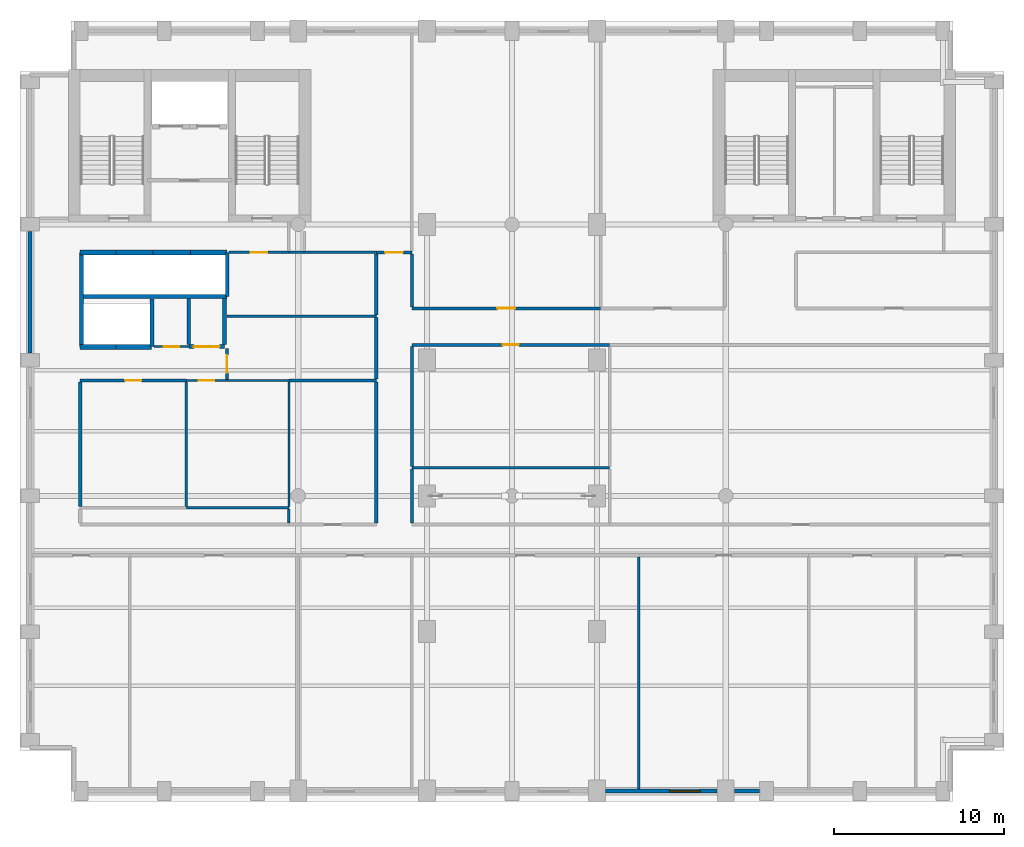
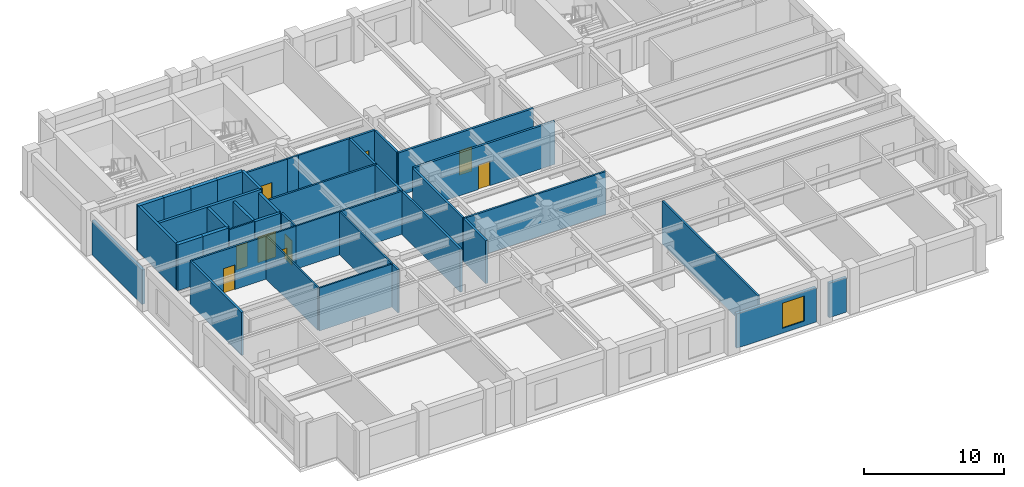
# One storey, part 5 of 10: 42 walls, 9 doors, 1 window, 10 openings.
"""IFC4 building model written with IfcOpenShell, lengths in metres."""

import ifcopenshell
import ifcopenshell.guid

model = None  # the IFC model being written
_history = None  # IfcOwnerHistory: only IFC2X3 demands one
_inside = {}  # id of a spatial element -> (the spatial element, [elements in it])
_under = {}  # id of a project, library or spatial element -> (it, [spatial elements below it])
_declared = {}  # id of a project -> (the project, [libraries it declares])
_typed = {}  # id of a type object -> (the type object, [elements of that type])
_made_of = {}  # id of a material, layer set ... -> (it, [elements and type objects made of it])


def new_model(schema):
    """Start an empty IFC model of exactly this schema.

    Asked for "IFC4X3", IfcOpenShell would pick the latest addendum, in which some entities
    have other attributes; the version numbers below select the first issue.
    IFC2X3 requires an IfcOwnerHistory on every rooted entity: one is made here for all.
    """
    global model, _history
    if schema == "IFC4X3":
        model = ifcopenshell.file(schema_version=(4, 3, 0, 0))
    else:
        model = ifcopenshell.file(schema=schema)
    _inside.clear()
    _under.clear()
    _declared.clear()
    _typed.clear()
    _made_of.clear()
    _history = None
    if model.schema == "IFC2X3":
        org = make("IfcOrganization", Name="unknown")
        user = make(
            "IfcPersonAndOrganization",
            ThePerson=make("IfcPerson", FamilyName="unknown"),
            TheOrganization=org,
        )
        app = make(
            "IfcApplication",
            ApplicationDeveloper=org,
            Version="unknown",
            ApplicationFullName="unknown",
            ApplicationIdentifier="unknown",
        )
        _history = make(
            "IfcOwnerHistory",
            OwningUser=user,
            OwningApplication=app,
            ChangeAction="ADDED",
            CreationDate=0,
        )
    return model


def make(cls, **values):
    """One entity of the class cls with the attributes given. An attribute that is None is left unset."""
    return model.create_entity(
        cls, **{name: value for name, value in values.items() if value is not None}
    )


def rooted(cls, **values):
    """An entity with a GlobalId (a new one), such as an element, a storey or a relation."""
    return make(cls, GlobalId=ifcopenshell.guid.new(), OwnerHistory=_history, **values)


def si_unit(unit_type, name, prefix=None):
    """IfcSIUnit, for example si_unit("LENGTHUNIT", "METRE", prefix="MILLI")."""
    return make("IfcSIUnit", UnitType=unit_type, Prefix=prefix, Name=name)


def assignment(units):
    """IfcUnitAssignment: the units of a project."""
    return None if units is None else make("IfcUnitAssignment", Units=units)


def point(xyz):
    """IfcCartesianPoint."""
    return None if xyz is None else make("IfcCartesianPoint", Coordinates=xyz)


def direction(xyz):
    """IfcDirection."""
    return None if xyz is None else make("IfcDirection", DirectionRatios=xyz)


def frame(location, z_axis=None, x_axis=None):
    """IfcAxis2Placement3D, a coordinate frame: its origin and axes. An axis left out is left unset."""
    return make(
        "IfcAxis2Placement3D",
        Location=point(location),
        Axis=direction(z_axis),
        RefDirection=direction(x_axis),
    )


def frame_2d(location, x_axis=None):
    """IfcAxis2Placement2D, a coordinate frame in the plane: its origin and x axis."""
    return make(
        "IfcAxis2Placement2D", Location=point(location), RefDirection=direction(x_axis)
    )


def origin():
    """The frame at (0, 0, 0) with its axes left unset."""
    return frame((0.0, 0.0, 0.0))


def place(relative_to, where):
    """IfcLocalPlacement: puts the frame where relative to a parent placement (None: the world)."""
    return make(
        "IfcLocalPlacement", PlacementRelTo=relative_to, RelativePlacement=where
    )


def context(
    kind, dimensions, precision=None, world=None, true_north=None, identifier=None
):
    """IfcGeometricRepresentationContext, for example the 3D "Model" context."""
    return make(
        "IfcGeometricRepresentationContext",
        ContextIdentifier=identifier,
        ContextType=kind,
        CoordinateSpaceDimension=dimensions,
        Precision=precision,
        WorldCoordinateSystem=world,
        TrueNorth=true_north,
    )


def subcontext(parent, identifier, kind, view, scale=None):
    """IfcGeometricRepresentationSubContext, for example "Body" below "Model"."""
    return make(
        "IfcGeometricRepresentationSubContext",
        ContextIdentifier=identifier,
        ContextType=kind,
        ParentContext=parent,
        TargetScale=scale,
        TargetView=view,
    )


def project(units=None, contexts=None):
    """IfcProject with its units and contexts."""
    return rooted(
        "IfcProject",
        Name="project",
        RepresentationContexts=contexts,
        UnitsInContext=assignment(units),
    )


def spatial(cls, under=None, at=None, **own):
    """A site, building, storey or space (cls), placed at a placement, below another one or the project."""
    s = rooted(cls, ObjectPlacement=at, **own)
    if under is not None:
        _under.setdefault(under.id(), (under, []))[1].append(s)
    return s


def profile(cls, at=None, kind="AREA", **sizes):
    """A parametric profile (cls). Its sizes go by their IFC names, for example OverallWidth=200.0."""
    return make(cls, ProfileType=kind, Position=at, **sizes)


def rectangle(**sizes):
    """IfcRectangleProfileDef."""
    return profile("IfcRectangleProfileDef", **sizes)


def extrude(swept, where, along, depth):
    """IfcExtrudedAreaSolid: the profile swept, set in the frame where, extruded along a direction by depth."""
    return make(
        "IfcExtrudedAreaSolid",
        SweptArea=swept,
        Position=where,
        ExtrudedDirection=direction(along),
        Depth=depth,
    )


def shape(context_of_items, identifier, shape_type, items):
    """IfcShapeRepresentation: the items that make up one representation, for example the "Body"."""
    return make(
        "IfcShapeRepresentation",
        ContextOfItems=context_of_items,
        RepresentationIdentifier=identifier,
        RepresentationType=shape_type,
        Items=items,
    )


def material(Name=None, Category=None):
    """IfcMaterial."""
    return make("IfcMaterial", Name=Name, Category=Category)


def layer(
    of_material, thickness, ventilated=None, Name=None, Category=None, Priority=None
):
    """IfcMaterialLayer: one layer of a wall or slab, of a material (None: an air gap)."""
    return make(
        "IfcMaterialLayer",
        Material=of_material,
        LayerThickness=thickness,
        IsVentilated=ventilated,
        Name=Name,
        Category=Category,
        Priority=Priority,
    )


def layer_set(layers, Name=None):
    """IfcMaterialLayerSet."""
    return make("IfcMaterialLayerSet", MaterialLayers=layers, LayerSetName=Name)


def made_of(thing, what):
    """Note that an element or type object is made of a material, layer set ...; save() writes the relation."""
    if what is not None:
        _made_of.setdefault(what.id(), (what, []))[1].append(thing)
    return thing


def type_object(cls, material=None, **own):
    """A type object (cls), such as IfcWallType, which elements share."""
    return made_of(rooted(cls, **own), material)


def element(
    cls,
    number,
    at=None,
    inside=None,
    cuts=None,
    type_object=None,
    material=None,
    context=None,
    identifier="Body",
    shape_type=None,
    held_by="IfcProductDefinitionShape",
    body=None,
    shapes=None,
    **own,
):
    """One element of the class cls, such as IfcWall. Its Tag is "e" and its number.

    at: its placement. inside: the storey or other place that contains it. cuts: it is an
    opening in that element (IfcRelVoidsElement). A single representation is given by context,
    identifier, shape_type and body (its items); several are given by shapes. held_by: the class
    of the entity that holds the representations. save() writes the other relations.
    """
    e = rooted(cls, Tag="e%d" % number, ObjectPlacement=at, **own)
    if body is not None:
        shapes = [shape(context, identifier, shape_type, body)]
    if shapes is not None:
        e.Representation = make(held_by, Representations=shapes)
    if inside is not None:
        _inside.setdefault(inside.id(), (inside, []))[1].append(e)
    if cuts is not None:
        rooted(
            "IfcRelVoidsElement", RelatingBuildingElement=cuts, RelatedOpeningElement=e
        )
    if type_object is not None:
        _typed.setdefault(type_object.id(), (type_object, []))[1].append(e)
    return made_of(e, material)


def fill(opening, filler):
    """IfcRelFillsElement: the door or window that sits in an opening."""
    return rooted(
        "IfcRelFillsElement",
        RelatingOpeningElement=opening,
        RelatedBuildingElement=filler,
    )


def aggregate(whole, parts):
    """IfcRelAggregates: a whole, such as a stair, and the parts it consists of."""
    return rooted("IfcRelAggregates", RelatingObject=whole, RelatedObjects=parts)


def save(model, path):
    """Write the relations noted so far, then the file.

    IfcRelAggregates (storeys below a building ...), IfcRelContainedInSpatialStructure (elements
    in a storey), IfcRelDefinesByType, IfcRelAssociatesMaterial and IfcRelDeclares: one each for
    every whole, place, type object, material and project.
    """
    for whole, parts in _under.values():
        aggregate(whole, parts)
    for where, things in _inside.values():
        rooted(
            "IfcRelContainedInSpatialStructure",
            RelatedElements=things,
            RelatingStructure=where,
        )
    for kind, things in _typed.values():
        rooted("IfcRelDefinesByType", RelatedObjects=things, RelatingType=kind)
    for what, things in _made_of.values():
        rooted("IfcRelAssociatesMaterial", RelatedObjects=things, RelatingMaterial=what)
    for by, libraries in _declared.values():
        rooted("IfcRelDeclares", RelatingContext=by, RelatedDefinitions=libraries)
    model.write(path)


model = new_model("IFC4")

# Units and contexts
model_context = context("Model", 3, precision=1e-05, world=origin(), true_north=direction((0.0, 1.0)))
body_context = subcontext(model_context, "Body", "Model", "MODEL_VIEW")
ifc_project = project(units=[si_unit("LENGTHUNIT", "METRE"), si_unit("AREAUNIT", "SQUARE_METRE"), si_unit("VOLUMEUNIT", "CUBIC_METRE"), si_unit("PLANEANGLEUNIT", "RADIAN"), si_unit("MASSUNIT", "GRAM", prefix="KILO")], contexts=[model_context])

# Site, building, storey
site_placement = place(None, origin())
site = spatial("IfcSite", under=ifc_project, at=site_placement, CompositionType="ELEMENT")
building_placement = place(site_placement, origin())
building = spatial("IfcBuilding", under=site, at=building_placement, Name="Sulina Concourse Tower", CompositionType="ELEMENT")
storey_placement = place(building_placement, frame((0.0, 0.0, 206.60009765625)))
storey = spatial("IfcBuildingStorey", under=building, at=storey_placement, Name="L50", CompositionType="ELEMENT", Elevation=206.60009765625)

# Walls
ifc_material_1 = material(Name="Concrete C50/60", Category="concrete")
ifc_layer_1 = layer(ifc_material_1, 0.219970703125)
ifc_layer_set_1 = layer_set([ifc_layer_1], Name="Concrete C50/60")
wall_type_1 = type_object("IfcWallType", Name="Core Lift Hoistway Divider Wall 220mm", PredefinedType="SOLIDWALL", material=ifc_layer_set_1)
wall_1_placement = place(storey_placement, frame((3.550048828125, 29.75, 0.0), z_axis=(0.0, 0.0, 1.0), x_axis=(1.0, 0.0, 0.0)))
element("IfcWall", 1, at=wall_1_placement, inside=storey, type_object=wall_type_1, Name="L50 shaft divider wall HW-LP3-S", PredefinedType="SOLIDWALL", context=body_context, shape_type="SweptSolid", body=[
    extrude(rectangle(XDim=8.64990234375, YDim=0.219970703125, at=frame_2d((4.324951171875, 0.0))), origin(), (0.0, 0.0, 1.0), 4.0),
])
wall_2_placement = place(storey_placement, frame((3.6298828125, 26.800048828125, 0.0), z_axis=(0.0, 0.0, 1.0), x_axis=(0.0, 1.0, 0.0)))
element("IfcWall", 2, at=wall_2_placement, inside=storey, type_object=wall_type_1, Name="L50 shaft divider wall HW-LP3-W", PredefinedType="SOLIDWALL", context=body_context, shape_type="SweptSolid", body=[
    extrude(rectangle(XDim=5.550048828125, YDim=0.219970703125, at=frame_2d((2.77490234375, 0.0))), origin(), (0.0, 0.0, 1.0), 4.0),
])
wall_3_placement = place(storey_placement, frame((7.780029296875, 26.800048828125, 0.0), z_axis=(0.0, 0.0, 1.0), x_axis=(0.0, 1.0, 0.0)))
element("IfcWall", 3, at=wall_3_placement, inside=storey, type_object=wall_type_1, Name="L50 shaft divider wall HW-EXP-E", PredefinedType="SOLIDWALL", context=body_context, shape_type="SweptSolid", body=[
    extrude(rectangle(XDim=2.800048828125, YDim=0.219970703125, at=frame_2d((1.39990234375, 0.0))), origin(), (0.0, 0.0, 1.0), 4.0),
])
wall_4_placement = place(storey_placement, frame((12.219970703125, 29.75, 0.0), z_axis=(0.0, 0.0, 1.0), x_axis=(0.0, 1.0, 0.0)))
element("IfcWall", 4, at=wall_4_placement, inside=storey, type_object=wall_type_1, Name="L50 shaft divider wall HW-LP3-E", PredefinedType="SOLIDWALL", context=body_context, shape_type="SweptSolid", body=[
    extrude(rectangle(XDim=2.60009765625, YDim=0.219970703125, at=frame_2d((1.300048828125, 0.0))), origin(), (0.0, 0.0, 1.0), 4.0),
])
ifc_material_2 = material(Name="Concrete C50/60", Category="concrete")
ifc_layer_2 = layer(ifc_material_2, 0.300048828125)
ifc_layer_set_2 = layer_set([ifc_layer_2], Name="Concrete C50/60")
wall_type_2 = type_object("IfcWallType", Name="Core Lift Hoistway Wall 300mm", PredefinedType="SOLIDWALL", material=ifc_layer_set_2)
wall_5_placement = place(storey_placement, frame((3.550048828125, 32.35009765625, 0.0), z_axis=(0.0, 0.0, 1.0), x_axis=(1.0, 0.0, 0.0)))
element("IfcWall", 5, at=wall_5_placement, inside=storey, type_object=wall_type_2, Name="L50 hoistway enclosure wall LP-09", PredefinedType="SOLIDWALL", context=body_context, shape_type="SweptSolid", body=[
    extrude(rectangle(XDim=2.099853515625, YDim=0.300048828125, at=frame_2d((1.0498046875, 0.0))), origin(), (0.0, 0.0, 1.0), 4.0),
])
wall_6_placement = place(storey_placement, frame((5.64990234375, 32.35009765625, 0.0), z_axis=(0.0, 0.0, 1.0), x_axis=(1.0, 0.0, 0.0)))
element("IfcWall", 6, at=wall_6_placement, inside=storey, type_object=wall_type_2, Name="L50 hoistway enclosure wall LP-10", PredefinedType="SOLIDWALL", context=body_context, shape_type="SweptSolid", body=[
    extrude(rectangle(XDim=2.2001953125, YDim=0.300048828125, at=frame_2d((1.10009765625, 0.0))), origin(), (0.0, 0.0, 1.0), 4.0),
])
wall_7_placement = place(storey_placement, frame((7.85009765625, 32.35009765625, 0.0), z_axis=(0.0, 0.0, 1.0), x_axis=(1.0, 0.0, 0.0)))
element("IfcWall", 7, at=wall_7_placement, inside=storey, type_object=wall_type_2, Name="L50 hoistway enclosure wall LP-11", PredefinedType="SOLIDWALL", context=body_context, shape_type="SweptSolid", body=[
    extrude(rectangle(XDim=2.199951171875, YDim=0.300048828125, at=frame_2d((1.10009765625, 0.0))), origin(), (0.0, 0.0, 1.0), 4.0),
])
wall_8_placement = place(storey_placement, frame((10.050048828125, 32.35009765625, 0.0), z_axis=(0.0, 0.0, 1.0), x_axis=(1.0, 0.0, 0.0)))
element("IfcWall", 8, at=wall_8_placement, inside=storey, type_object=wall_type_2, Name="L50 hoistway enclosure wall LP-12", PredefinedType="SOLIDWALL", context=body_context, shape_type="SweptSolid", body=[
    extrude(rectangle(XDim=2.14990234375, YDim=0.300048828125, at=frame_2d((1.074951171875, 0.0))), origin(), (0.0, 0.0, 1.0), 4.0),
])
wall_9_placement = place(storey_placement, frame((5.64990234375, 26.780029296875, 0.0), z_axis=(0.0, 0.0, 1.0), x_axis=(-1.0, 0.0, 0.0)))
element("IfcWall", 9, at=wall_9_placement, inside=storey, type_object=wall_type_2, Name="L50 hoistway enclosure wall EXP-1", PredefinedType="SOLIDWALL", context=body_context, shape_type="SweptSolid", body=[
    extrude(rectangle(XDim=2.099853515625, YDim=0.300048828125, at=frame_2d((1.0498046875, 0.0))), origin(), (0.0, 0.0, 1.0), 4.0),
])
wall_10_placement = place(storey_placement, frame((7.75, 26.780029296875, 0.0), z_axis=(0.0, 0.0, 1.0), x_axis=(-1.0, 0.0, 0.0)))
element("IfcWall", 10, at=wall_10_placement, inside=storey, type_object=wall_type_2, Name="L50 hoistway enclosure wall EXP-2", PredefinedType="SOLIDWALL", context=body_context, shape_type="SweptSolid", body=[
    extrude(rectangle(XDim=2.10009765625, YDim=0.300048828125, at=frame_2d((1.050048828125, 0.0))), origin(), (0.0, 0.0, 1.0), 4.0),
])

# Wall, opening, window
ifc_material_3 = material(Name="Precast concrete C50/60", Category="concrete")
ifc_layer_3 = layer(ifc_material_3, 0.239990234375)
ifc_layer_set_3 = layer_set([ifc_layer_3], Name="Precast concrete C50/60")
wall_type_3 = type_object("IfcWallType", Name="Crown Precast Masonry-Frame Facade Wall 240mm", PredefinedType="SOLIDWALL", material=ifc_layer_set_3)
wall_11_placement = place(storey_placement, frame((41.080078125, 0.60009765625, 0.0), z_axis=(0.0, 0.0, 1.0), x_axis=(-1.0, 0.0, 0.0)))
wall_11 = element("IfcWall", 11, at=wall_11_placement, inside=storey, type_object=wall_type_3, Name="L50 exterior precast wall S7", PredefinedType="SOLIDWALL", context=body_context, shape_type="SweptSolid", body=[
    extrude(rectangle(XDim=6.56005859375, YDim=0.239990234375, at=frame_2d((3.280029296875, 0.0))), origin(), (0.0, 0.0, 1.0), 3.0),
])
opening_1_placement = place(wall_11_placement, frame((0.98681640625, 0.0, 0.419921875)))
opening_1 = element("IfcOpeningElement", 12, at=opening_1_placement, cuts=wall_11, Name="Opening WN-25", PredefinedType="OPENING", context=body_context, shape_type="SweptSolid", body=[
    extrude(rectangle(XDim=1.800048828125, YDim=2.199951171875, at=frame_2d((0.89990234375, 1.10009765625))), frame((0.0, 0.1298828125, 0.0), z_axis=(0.0, -1.0, 0.0), x_axis=(1.0, 0.0, 0.0)), (0.0, 0.0, 1.0), 0.260009765625),
])
ifc_material_4 = material(Name="Low-E solar double glazing in bronze aluminium", Category="aluminium")
window_type = type_object("IfcWindowType", Name="Punched Masonry-Frame Window 1800x2200", PartitioningType="SINGLE_PANEL", PredefinedType="WINDOW", material=ifc_material_4)
window_placement = place(opening_1_placement, origin())
window = element("IfcWindow", 13, at=window_placement, inside=storey, type_object=window_type, Name="L50 punched window S7-1", OverallHeight=2.199951171875, OverallWidth=1.800048828125, PartitioningType="SINGLE_PANEL", PredefinedType="WINDOW", context=body_context, shape_type="SweptSolid", body=[
    extrude(rectangle(XDim=1.800048828125, YDim=2.199951171875, at=frame_2d((0.89990234375, 1.10009765625))), frame((0.0, 0.030029296875, 0.0), z_axis=(0.0, -1.0, 0.0), x_axis=(1.0, 0.0, 0.0)), (0.0, 0.0, 1.0), 0.06005859375),
])
fill(opening_1, window)

# Walls
wall_12_placement = place(storey_placement, frame((43.580078125, 0.60009765625, 0.0), z_axis=(0.0, 0.0, 1.0), x_axis=(-1.0, 0.0, 0.0)))
element("IfcWall", 14, at=wall_12_placement, inside=storey, type_object=wall_type_3, Name="L50 exterior precast wall S8", PredefinedType="SOLIDWALL", context=body_context, shape_type="SweptSolid", body=[
    extrude(rectangle(XDim=1.4599609375, YDim=0.239990234375, at=frame_2d((0.72998046875, 0.0))), origin(), (0.0, 0.0, 1.0), 3.0),
])
wall_13_placement = place(storey_placement, frame((0.60009765625, 26.419921875, 0.0), z_axis=(0.0, 0.0, 1.0), x_axis=(0.0, 1.0, 0.0)))
element("IfcWall", 15, at=wall_13_placement, inside=storey, type_object=wall_type_3, Name="L50 exterior precast wall W4", PredefinedType="SOLIDWALL", context=body_context, shape_type="SweptSolid", body=[
    extrude(rectangle(XDim=7.16015625, YDim=0.239990234375, at=frame_2d((3.580078125, 0.0))), origin(), (0.0, 0.0, 1.0), 3.0),
])

# Wall, opening, door
ifc_material_5 = material(Name="Gypsum board on steel stud", Category="steel")
ifc_layer_4 = layer(ifc_material_5, 0.219970703125)
ifc_layer_set_4 = layer_set([ifc_layer_4], Name="Gypsum board on steel stud")
wall_type_4 = type_object("IfcWallType", Name="Fire-Rated Lobby & Compartment Wall 220mm", PredefinedType="PARTITIONING", material=ifc_layer_set_4)
wall_14_placement = place(storey_placement, frame((9.949951171875, 26.800048828125, 0.0), z_axis=(0.0, 0.0, 1.0), x_axis=(1.0, 0.0, 0.0)))
wall_14 = element("IfcWall", 16, at=wall_14_placement, inside=storey, type_object=wall_type_4, Name="L50 interior partition 020", PredefinedType="PARTITIONING", context=body_context, shape_type="SweptSolid", body=[
    extrude(rectangle(XDim=2.10009765625, YDim=0.219970703125, at=frame_2d((1.050048828125, 0.0))), origin(), (0.0, 0.0, 1.0), 3.75),
])
opening_2_placement = place(wall_14_placement, frame((0.300048828125, 0.0, 0.0)))
opening_2 = element("IfcOpeningElement", 17, at=opening_2_placement, cuts=wall_14, Name="Opening DR-80", PredefinedType="OPENING", context=body_context, shape_type="SweptSolid", body=[
    extrude(rectangle(XDim=1.5, YDim=2.25, at=frame_2d((0.75, 1.125))), frame((0.0, 0.119873046875, 0.0), z_axis=(0.0, -1.0, 0.0), x_axis=(1.0, 0.0, 0.0)), (0.0, 0.0, 1.0), 0.239990234375),
])
ifc_material_6 = material(Name="Galvanised steel acoustic fire leaf", Category="steel")
ifc_layer_5 = layer(ifc_material_6, 0.054931640625)
ifc_layer_set_5 = layer_set([ifc_layer_5], Name="Galvanised steel acoustic fire leaf")
door_type_1 = type_object("IfcDoorType", Name="Mechanical Plant Double Fire Door 1500x2250", OperationType="DOUBLE_DOOR_SINGLE_SWING", PredefinedType="DOOR", material=ifc_layer_set_5)
door_1_placement = place(opening_2_placement, origin())
door_1 = element("IfcDoor", 18, at=door_1_placement, inside=storey, type_object=door_type_1, Name="L50 interior door L50-IT-IDF", OperationType="DOUBLE_DOOR_SINGLE_SWING", OverallHeight=2.25, OverallWidth=1.5, PredefinedType="DOOR", context=body_context, shape_type="SweptSolid", body=[
    extrude(rectangle(XDim=1.5, YDim=2.25, at=frame_2d((0.75, 1.125))), frame((0.0, 0.02490234375, 0.0), z_axis=(0.0, -1.0, 0.0), x_axis=(1.0, 0.0, 0.0)), (0.0, 0.0, 1.0), 0.050048828125),
])
fill(opening_2, door_1)

# Walls
for number, where, z_axis, x_axis, name in (
    (19, (9.949951171875, 26.909912109375, 0.0), (0.0, 0.0, 1.0), (0.0, 1.0, 0.0), "L50 interior partition 040"),
    (20, (12.050048828125, 26.909912109375, 0.0), (0.0, 0.0, 1.0), (0.0, 1.0, 0.0), "L50 interior partition 041"),
):
    element("IfcWall", number, at=place(storey_placement, frame(where, z_axis=z_axis, x_axis=x_axis)), inside=storey, type_object=wall_type_4, Name=name, PredefinedType="PARTITIONING", context=body_context, shape_type="SweptSolid", body=[
        extrude(rectangle(XDim=2.72998046875, YDim=0.219970703125, at=frame_2d((1.364990234375, 0.0))), origin(), (0.0, 0.0, 1.0), 3.75),
    ])
ifc_material_7 = material(Name="Gypsum board on steel stud", Category="steel")
ifc_layer_6 = layer(ifc_material_7, 0.14990234375)
ifc_layer_set_6 = layer_set([ifc_layer_6], Name="Gypsum board on steel stud")
wall_type_5 = type_object("IfcWallType", Name="Inter-Tenancy Acoustic Partition 150mm", PredefinedType="PARTITIONING", material=ifc_layer_set_6)
wall_15_placement = place(storey_placement, frame((23.10009765625, 19.64990234375, 0.0), z_axis=(0.0, 0.0, 1.0), x_axis=(1.0, 0.0, 0.0)))
element("IfcWall", 21, at=wall_15_placement, inside=storey, type_object=wall_type_5, Name="L50 interior partition 014", PredefinedType="PARTITIONING", context=body_context, shape_type="SweptSolid", body=[
    extrude(rectangle(XDim=11.64990234375, YDim=0.14990234375, at=frame_2d((5.824951171875, 0.0))), origin(), (0.0, 0.0, 1.0), 3.75),
])

# Wall, opening, door
wall_16_placement = place(storey_placement, frame((3.550048828125, 24.800048828125, 0.0), z_axis=(0.0, 0.0, 1.0), x_axis=(1.0, 0.0, 0.0)))
wall_16 = element("IfcWall", 22, at=wall_16_placement, inside=storey, type_object=wall_type_5, Name="L50 interior partition 015", PredefinedType="PARTITIONING", context=body_context, shape_type="SweptSolid", body=[
    extrude(rectangle(XDim=6.25, YDim=0.14990234375, at=frame_2d((3.125, 0.0))), origin(), (0.0, 0.0, 1.0), 3.75),
])
opening_3_placement = place(wall_16_placement, frame((2.64990234375, 0.0, 0.0)))
opening_3 = element("IfcOpeningElement", 23, at=opening_3_placement, cuts=wall_16, Name="Opening DR-19", PredefinedType="OPENING", context=body_context, shape_type="SweptSolid", body=[
    extrude(rectangle(XDim=0.949951171875, YDim=2.14990234375, at=frame_2d((0.47509765625, 1.074951171875))), frame((0.0, 0.0849609375, 0.0), z_axis=(0.0, -1.0, 0.0), x_axis=(1.0, 0.0, 0.0)), (0.0, 0.0, 1.0), 0.169921875),
])
ifc_material_8 = material(Name="Oak-veneered acoustic timber leaf", Category="wood")
ifc_layer_7 = layer(ifc_material_8, 0.050048828125)
ifc_layer_set_7 = layer_set([ifc_layer_7], Name="Oak-veneered acoustic timber leaf")
door_type_2 = type_object("IfcDoorType", Name="Cellular Office & Meeting Door 950x2150", OperationType="NOTDEFINED", PredefinedType="DOOR", material=ifc_layer_set_7)
door_2_placement = place(opening_3_placement, origin())
door_2 = element("IfcDoor", 24, at=door_2_placement, inside=storey, type_object=door_type_2, Name="L50 interior door L50-LR-MRG1", OperationType="SINGLE_SWING_RIGHT", OverallHeight=2.14990234375, OverallWidth=0.949951171875, PredefinedType="DOOR", context=body_context, shape_type="SweptSolid", body=[
    extrude(rectangle(XDim=0.949951171875, YDim=2.14990234375, at=frame_2d((0.47509765625, 1.074951171875))), frame((0.0, 0.02490234375, 0.0), z_axis=(0.0, -1.0, 0.0), x_axis=(1.0, 0.0, 0.0)), (0.0, 0.0, 1.0), 0.050048828125),
])
fill(opening_3, door_2)

# Walls
wall_17_placement = place(storey_placement, frame((15.85009765625, 24.800048828125, 0.0), z_axis=(0.0, 0.0, 1.0), x_axis=(1.0, 0.0, 0.0)))
element("IfcWall", 25, at=wall_17_placement, inside=storey, type_object=wall_type_5, Name="L50 interior partition 018", PredefinedType="PARTITIONING", context=body_context, shape_type="SweptSolid", body=[
    extrude(rectangle(XDim=5.14990234375, YDim=0.14990234375, at=frame_2d((2.574951171875, 0.0))), origin(), (0.0, 0.0, 1.0), 3.75),
])
wall_18_placement = place(storey_placement, frame((12.199951171875, 28.60009765625, 0.0), z_axis=(0.0, 0.0, 1.0), x_axis=(1.0, 0.0, 0.0)))
element("IfcWall", 26, at=wall_18_placement, inside=storey, type_object=wall_type_5, Name="L50 interior partition 023", PredefinedType="PARTITIONING", context=body_context, shape_type="SweptSolid", body=[
    extrude(rectangle(XDim=8.800048828125, YDim=0.14990234375, at=frame_2d((4.39990234375, 0.0))), origin(), (0.0, 0.0, 1.0), 3.75),
])

# Wall, opening, door
wall_19_placement = place(storey_placement, frame((12.330078125, 32.35009765625, 0.0), z_axis=(0.0, 0.0, 1.0), x_axis=(1.0, 0.0, 0.0)))
wall_19 = element("IfcWall", 27, at=wall_19_placement, inside=storey, type_object=wall_type_5, Name="L50 interior partition 027", PredefinedType="PARTITIONING", context=body_context, shape_type="SweptSolid", body=[
    extrude(rectangle(XDim=3.52001953125, YDim=0.14990234375, at=frame_2d((1.760009765625, 0.0))), origin(), (0.0, 0.0, 1.0), 3.75),
])
opening_4_placement = place(wall_19_placement, frame((1.284912109375, 0.0, 0.0)))
opening_4 = element("IfcOpeningElement", 28, at=opening_4_placement, cuts=wall_19, Name="Opening DR-19", PredefinedType="OPENING", context=body_context, shape_type="SweptSolid", body=[
    extrude(rectangle(XDim=0.949951171875, YDim=2.14990234375, at=frame_2d((0.47509765625, 1.074951171875))), frame((0.0, 0.0849609375, 0.0), z_axis=(0.0, -1.0, 0.0), x_axis=(1.0, 0.0, 0.0)), (0.0, 0.0, 1.0), 0.169921875),
])
door_3_placement = place(opening_4_placement, origin())
door_3 = element("IfcDoor", 29, at=door_3_placement, inside=storey, type_object=door_type_2, Name="L50 interior door L50-MR-MRG2", OperationType="SINGLE_SWING_LEFT", OverallHeight=2.14990234375, OverallWidth=0.949951171875, PredefinedType="DOOR", context=body_context, shape_type="SweptSolid", body=[
    extrude(rectangle(XDim=0.949951171875, YDim=2.14990234375, at=frame_2d((0.47509765625, 1.074951171875))), frame((0.0, 0.02490234375, 0.0), z_axis=(0.0, -1.0, 0.0), x_axis=(1.0, 0.0, 0.0)), (0.0, 0.0, 1.0), 0.050048828125),
])
fill(opening_4, door_3)

# Walls
wall_20_placement = place(storey_placement, frame((15.85009765625, 32.35009765625, 0.0), z_axis=(0.0, 0.0, 1.0), x_axis=(1.0, 0.0, 0.0)))
element("IfcWall", 30, at=wall_20_placement, inside=storey, type_object=wall_type_5, Name="L50 interior partition 028", PredefinedType="PARTITIONING", context=body_context, shape_type="SweptSolid", body=[
    extrude(rectangle(XDim=0.89990234375, YDim=0.14990234375, at=frame_2d((0.449951171875, 0.0))), origin(), (0.0, 0.0, 1.0), 3.75),
])
wall_21_placement = place(storey_placement, frame((16.75, 32.35009765625, 0.0), z_axis=(0.0, 0.0, 1.0), x_axis=(1.0, 0.0, 0.0)))
element("IfcWall", 31, at=wall_21_placement, inside=storey, type_object=wall_type_5, Name="L50 interior partition 029", PredefinedType="PARTITIONING", context=body_context, shape_type="SweptSolid", body=[
    extrude(rectangle(XDim=4.25, YDim=0.14990234375, at=frame_2d((2.125, 0.0))), origin(), (0.0, 0.0, 1.0), 3.75),
])

# Wall, opening, door
wall_22_placement = place(storey_placement, frame((12.199951171875, 24.862548828125, 0.0), z_axis=(0.0, 0.0, 1.0), x_axis=(0.0, 1.0, 0.0)))
wall_22 = element("IfcWall", 32, at=wall_22_placement, inside=storey, type_object=wall_type_5, Name="L50 interior partition 042", PredefinedType="PARTITIONING", context=body_context, shape_type="SweptSolid", body=[
    extrude(rectangle(XDim=1.827392578125, YDim=0.14990234375, at=frame_2d((0.91357421875, 0.0))), origin(), (0.0, 0.0, 1.0), 3.75),
])
opening_5_placement = place(wall_22_placement, frame((0.388916015625, 0.0, 0.0)))
opening_5 = element("IfcOpeningElement", 33, at=opening_5_placement, cuts=wall_22, Name="Opening DR-37", PredefinedType="OPENING", context=body_context, shape_type="SweptSolid", body=[
    extrude(rectangle(XDim=1.050048828125, YDim=2.14990234375, at=frame_2d((0.52490234375, 1.074951171875))), frame((0.0, 0.0849609375, 0.0), z_axis=(0.0, -1.0, 0.0), x_axis=(1.0, 0.0, 0.0)), (0.0, 0.0, 1.0), 0.169921875),
])
ifc_material_9 = material(Name="Oak-veneered fire door leaf")
ifc_layer_8 = layer(ifc_material_9, 0.050048828125)
ifc_layer_set_8 = layer_set([ifc_layer_8], Name="Oak-veneered fire door leaf")
door_type_3 = type_object("IfcDoorType", Name="Tenant Suite Entrance Fire Door 1050x2150", OperationType="NOTDEFINED", PredefinedType="DOOR", material=ifc_layer_set_8)
door_4_placement = place(opening_5_placement, origin())
door_4 = element("IfcDoor", 34, at=door_4_placement, inside=storey, type_object=door_type_3, Name="L50 interior door L50-MR-MRG1", OperationType="SINGLE_SWING_LEFT", OverallHeight=2.14990234375, OverallWidth=1.050048828125, PredefinedType="DOOR", context=body_context, shape_type="SweptSolid", body=[
    extrude(rectangle(XDim=1.050048828125, YDim=2.14990234375, at=frame_2d((0.52490234375, 1.074951171875))), frame((0.0, 0.02490234375, 0.0), z_axis=(0.0, -1.0, 0.0), x_axis=(1.0, 0.0, 0.0)), (0.0, 0.0, 1.0), 0.050048828125),
])
fill(opening_5, door_4)

# Walls
wall_23_placement = place(storey_placement, frame((15.85009765625, 16.389892578125, 0.0), z_axis=(0.0, 0.0, 1.0), x_axis=(0.0, 1.0, 0.0)))
element("IfcWall", 35, at=wall_23_placement, inside=storey, type_object=wall_type_5, Name="L50 interior partition 043", PredefinedType="PARTITIONING", context=body_context, shape_type="SweptSolid", body=[
    extrude(rectangle(XDim=0.84765625, YDim=0.14990234375, at=frame_2d((0.423828125, 0.0))), origin(), (0.0, 0.0, 1.0), 3.75),
])
wall_24_placement = place(storey_placement, frame((36.47998046875, 0.719970703125, 0.0), z_axis=(0.0, 0.0, 1.0), x_axis=(0.0, 1.0, 0.0)))
element("IfcWall", 36, at=wall_24_placement, inside=storey, type_object=wall_type_5, Name="L50 interior partition 060", PredefinedType="PARTITIONING", context=body_context, shape_type="SweptSolid", body=[
    extrude(rectangle(XDim=13.68994140625, YDim=0.14990234375, at=frame_2d((6.844970703125, 0.0))), origin(), (0.0, 0.0, 1.0), 3.75),
])

# Wall, opening, door
ifc_material_10 = material(Name="Gypsum board on steel stud", Category="steel")
ifc_layer_9 = layer(ifc_material_10, 0.179931640625)
ifc_layer_set_9 = layer_set([ifc_layer_9], Name="Gypsum board on steel stud")
wall_type_6 = type_object("IfcWallType", Name="Protected Corridor & Riser Partition 180mm", PredefinedType="PARTITIONING", material=ifc_layer_set_9)
wall_25_placement = place(storey_placement, frame((23.10009765625, 26.89990234375, 0.0), z_axis=(0.0, 0.0, 1.0), x_axis=(1.0, 0.0, 0.0)))
wall_25 = element("IfcWall", 37, at=wall_25_placement, inside=storey, type_object=wall_type_6, Name="L50 interior partition 021", PredefinedType="PARTITIONING", context=body_context, shape_type="SweptSolid", body=[
    extrude(rectangle(XDim=11.64990234375, YDim=0.179931640625, at=frame_2d((5.824951171875, 0.0))), origin(), (0.0, 0.0, 1.0), 3.75),
])
opening_6_placement = place(wall_25_placement, frame((5.35009765625, 0.0, 0.0)))
opening_6 = element("IfcOpeningElement", 38, at=opening_6_placement, cuts=wall_25, Name="Opening DR-19", PredefinedType="OPENING", context=body_context, shape_type="SweptSolid", body=[
    extrude(rectangle(XDim=0.949951171875, YDim=2.14990234375, at=frame_2d((0.47509765625, 1.074951171875))), frame((0.0, 0.099853515625, 0.0), z_axis=(0.0, -1.0, 0.0), x_axis=(1.0, 0.0, 0.0)), (0.0, 0.0, 1.0), 0.199951171875),
])
door_5_placement = place(opening_6_placement, origin())
door_5 = element("IfcDoor", 39, at=door_5_placement, inside=storey, type_object=door_type_2, Name="L50 interior door L50-UBT-NRM", OperationType="SINGLE_SWING_LEFT", OverallHeight=2.14990234375, OverallWidth=0.949951171875, PredefinedType="DOOR", context=body_context, shape_type="SweptSolid", body=[
    extrude(rectangle(XDim=0.949951171875, YDim=2.14990234375, at=frame_2d((0.47509765625, 1.074951171875))), frame((0.0, 0.02490234375, 0.0), z_axis=(0.0, -1.0, 0.0), x_axis=(1.0, 0.0, 0.0)), (0.0, 0.0, 1.0), 0.050048828125),
])
fill(opening_6, door_5)

wall_26_placement = place(storey_placement, frame((23.10009765625, 29.050048828125, 0.0), z_axis=(0.0, 0.0, 1.0), x_axis=(1.0, 0.0, 0.0)))
wall_26 = element("IfcWall", 40, at=wall_26_placement, inside=storey, type_object=wall_type_6, Name="L50 interior partition 024", PredefinedType="PARTITIONING", context=body_context, shape_type="SweptSolid", body=[
    extrude(rectangle(XDim=11.119873046875, YDim=0.179931640625, at=frame_2d((5.56005859375, 0.0))), origin(), (0.0, 0.0, 1.0), 3.75),
])
opening_7_placement = place(wall_26_placement, frame((5.034912109375, 0.0, 0.0)))
opening_7 = element("IfcOpeningElement", 41, at=opening_7_placement, cuts=wall_26, Name="Opening DR-37", PredefinedType="OPENING", context=body_context, shape_type="SweptSolid", body=[
    extrude(rectangle(XDim=1.050048828125, YDim=2.14990234375, at=frame_2d((0.52490234375, 1.074951171875))), frame((0.0, 0.099853515625, 0.0), z_axis=(0.0, -1.0, 0.0), x_axis=(1.0, 0.0, 0.0)), (0.0, 0.0, 1.0), 0.199951171875),
])
door_6_placement = place(opening_7_placement, origin())
door_6 = element("IfcDoor", 42, at=door_6_placement, inside=storey, type_object=door_type_3, Name="L50 interior door L50-NC1", OperationType="SINGLE_SWING_RIGHT", OverallHeight=2.14990234375, OverallWidth=1.050048828125, PredefinedType="DOOR", context=body_context, shape_type="SweptSolid", body=[
    extrude(rectangle(XDim=1.050048828125, YDim=2.14990234375, at=frame_2d((0.52490234375, 1.074951171875))), frame((0.0, 0.02490234375, 0.0), z_axis=(0.0, -1.0, 0.0), x_axis=(1.0, 0.0, 0.0)), (0.0, 0.0, 1.0), 0.050048828125),
])
fill(opening_7, door_6)

wall_27_placement = place(storey_placement, frame((21.0, 32.35009765625, 0.0), z_axis=(0.0, 0.0, 1.0), x_axis=(1.0, 0.0, 0.0)))
wall_27 = element("IfcWall", 43, at=wall_27_placement, inside=storey, type_object=wall_type_6, Name="L50 interior partition 030", PredefinedType="PARTITIONING", context=body_context, shape_type="SweptSolid", body=[
    extrude(rectangle(XDim=2.10009765625, YDim=0.179931640625, at=frame_2d((1.050048828125, 0.0))), origin(), (0.0, 0.0, 1.0), 3.75),
])
opening_8_placement = place(wall_27_placement, frame((0.52490234375, 0.0, 0.0)))
opening_8 = element("IfcOpeningElement", 44, at=opening_8_placement, cuts=wall_27, Name="Opening DR-37", PredefinedType="OPENING", context=body_context, shape_type="SweptSolid", body=[
    extrude(rectangle(XDim=1.050048828125, YDim=2.14990234375, at=frame_2d((0.52490234375, 1.074951171875))), frame((0.0, 0.099853515625, 0.0), z_axis=(0.0, -1.0, 0.0), x_axis=(1.0, 0.0, 0.0)), (0.0, 0.0, 1.0), 0.199951171875),
])
door_7_placement = place(opening_8_placement, origin())
door_7 = element("IfcDoor", 45, at=door_7_placement, inside=storey, type_object=door_type_3, Name="L50 interior door L50-NC-NW", OperationType="SINGLE_SWING_RIGHT", OverallHeight=2.14990234375, OverallWidth=1.050048828125, PredefinedType="DOOR", context=body_context, shape_type="SweptSolid", body=[
    extrude(rectangle(XDim=1.050048828125, YDim=2.14990234375, at=frame_2d((0.52490234375, 1.074951171875))), frame((0.0, 0.02490234375, 0.0), z_axis=(0.0, -1.0, 0.0), x_axis=(1.0, 0.0, 0.0)), (0.0, 0.0, 1.0), 0.050048828125),
])
fill(opening_8, door_7)

# Walls
wall_28_placement = place(storey_placement, frame((3.550048828125, 17.375, 0.0), z_axis=(0.0, 0.0, 1.0), x_axis=(0.0, 1.0, 0.0)))
element("IfcWall", 46, at=wall_28_placement, inside=storey, type_object=wall_type_6, Name="L50 interior partition 037", PredefinedType="PARTITIONING", context=body_context, shape_type="SweptSolid", body=[
    extrude(rectangle(XDim=7.35009765625, YDim=0.179931640625, at=frame_2d((3.675048828125, 0.0))), origin(), (0.0, 0.0, 1.0), 3.75),
])
wall_29_placement = place(storey_placement, frame((21.0, 16.389892578125, 0.0), z_axis=(0.0, 0.0, 1.0), x_axis=(0.0, 1.0, 0.0)))
element("IfcWall", 47, at=wall_29_placement, inside=storey, type_object=wall_type_6, Name="L50 interior partition 048", PredefinedType="PARTITIONING", context=body_context, shape_type="SweptSolid", body=[
    extrude(rectangle(XDim=8.335205078125, YDim=0.179931640625, at=frame_2d((4.16748046875, 0.0))), origin(), (0.0, 0.0, 1.0), 3.75),
])
wall_30_placement = place(storey_placement, frame((21.0, 24.875, 0.0), z_axis=(0.0, 0.0, 1.0), x_axis=(0.0, 1.0, 0.0)))
element("IfcWall", 48, at=wall_30_placement, inside=storey, type_object=wall_type_6, Name="L50 interior partition 049", PredefinedType="PARTITIONING", context=body_context, shape_type="SweptSolid", body=[
    extrude(rectangle(XDim=3.64990234375, YDim=0.179931640625, at=frame_2d((1.824951171875, 0.0))), origin(), (0.0, 0.0, 1.0), 3.75),
])
wall_31_placement = place(storey_placement, frame((21.0, 28.675048828125, 0.0), z_axis=(0.0, 0.0, 1.0), x_axis=(0.0, 1.0, 0.0)))
element("IfcWall", 49, at=wall_31_placement, inside=storey, type_object=wall_type_6, Name="L50 interior partition 050", PredefinedType="PARTITIONING", context=body_context, shape_type="SweptSolid", body=[
    extrude(rectangle(XDim=3.5849609375, YDim=0.179931640625, at=frame_2d((1.79248046875, 0.0))), origin(), (0.0, 0.0, 1.0), 3.75),
])
wall_32_placement = place(storey_placement, frame((23.10009765625, 16.389892578125, 0.0), z_axis=(0.0, 0.0, 1.0), x_axis=(0.0, 1.0, 0.0)))
element("IfcWall", 50, at=wall_32_placement, inside=storey, type_object=wall_type_6, Name="L50 interior partition 052", PredefinedType="PARTITIONING", context=body_context, shape_type="SweptSolid", body=[
    extrude(rectangle(XDim=3.18505859375, YDim=0.179931640625, at=frame_2d((1.592529296875, 0.0))), origin(), (0.0, 0.0, 1.0), 3.75),
])
wall_33_placement = place(storey_placement, frame((23.10009765625, 19.72509765625, 0.0), z_axis=(0.0, 0.0, 1.0), x_axis=(0.0, 1.0, 0.0)))
element("IfcWall", 51, at=wall_33_placement, inside=storey, type_object=wall_type_6, Name="L50 interior partition 053", PredefinedType="PARTITIONING", context=body_context, shape_type="SweptSolid", body=[
    extrude(rectangle(XDim=7.0849609375, YDim=0.179931640625, at=frame_2d((3.54248046875, 0.0))), origin(), (0.0, 0.0, 1.0), 3.75),
])
wall_34_placement = place(storey_placement, frame((23.10009765625, 29.139892578125, 0.0), z_axis=(0.0, 0.0, 1.0), x_axis=(0.0, 1.0, 0.0)))
element("IfcWall", 52, at=wall_34_placement, inside=storey, type_object=wall_type_6, Name="L50 interior partition 054", PredefinedType="PARTITIONING", context=body_context, shape_type="SweptSolid", body=[
    extrude(rectangle(XDim=3.1201171875, YDim=0.179931640625, at=frame_2d((1.56005859375, 0.0))), origin(), (0.0, 0.0, 1.0), 3.75),
])
ifc_material_11 = material(Name="Gypsum board on steel stud", Category="steel")
ifc_layer_10 = layer(ifc_material_11, 0.125)
ifc_layer_set_10 = layer_set([ifc_layer_10], Name="Gypsum board on steel stud")
wall_type_7 = type_object("IfcWallType", Name="Wet-Area Moisture-Resistant Partition 125mm", PredefinedType="PARTITIONING", material=ifc_layer_set_10)
wall_35_placement = place(storey_placement, frame((9.800048828125, 17.300048828125, 0.0), z_axis=(0.0, 0.0, 1.0), x_axis=(1.0, 0.0, 0.0)))
element("IfcWall", 53, at=wall_35_placement, inside=storey, type_object=wall_type_7, Name="L50 interior partition 013", PredefinedType="PARTITIONING", context=body_context, shape_type="SweptSolid", body=[
    extrude(rectangle(XDim=6.050048828125, YDim=0.125, at=frame_2d((3.02490234375, 0.0))), origin(), (0.0, 0.0, 1.0), 3.75),
])

# Wall, opening, door
wall_36_placement = place(storey_placement, frame((9.800048828125, 24.800048828125, 0.0), z_axis=(0.0, 0.0, 1.0), x_axis=(1.0, 0.0, 0.0)))
wall_36 = element("IfcWall", 54, at=wall_36_placement, inside=storey, type_object=wall_type_7, Name="L50 interior partition 016", PredefinedType="PARTITIONING", context=body_context, shape_type="SweptSolid", body=[
    extrude(rectangle(XDim=2.39990234375, YDim=0.125, at=frame_2d((1.199951171875, 0.0))), origin(), (0.0, 0.0, 1.0), 3.75),
])
opening_9_placement = place(wall_36_placement, frame((0.75, 0.0, 0.0)))
opening_9 = element("IfcOpeningElement", 55, at=opening_9_placement, cuts=wall_36, Name="Opening DR-21", PredefinedType="OPENING", context=body_context, shape_type="SweptSolid", body=[
    extrude(rectangle(XDim=0.89990234375, YDim=2.10009765625, at=frame_2d((0.449951171875, 1.050048828125))), frame((0.0, 0.072509765625, 0.0), z_axis=(0.0, -1.0, 0.0), x_axis=(1.0, 0.0, 0.0)), (0.0, 0.0, 1.0), 0.14501953125),
])
ifc_material_12 = material(Name="Oak-veneered fire door leaf")
ifc_layer_11 = layer(ifc_material_12, 0.050048828125)
ifc_layer_set_11 = layer_set([ifc_layer_11], Name="Oak-veneered fire door leaf")
door_type_4 = type_object("IfcDoorType", Name="Restroom & Service Door 900x2100", OperationType="NOTDEFINED", PredefinedType="DOOR", material=ifc_layer_set_11)
door_8_placement = place(opening_9_placement, origin())
door_8 = element("IfcDoor", 56, at=door_8_placement, inside=storey, type_object=door_type_4, Name="L50 interior door L50-LR-MRG2", OperationType="SINGLE_SWING_LEFT", OverallHeight=2.10009765625, OverallWidth=0.89990234375, PredefinedType="DOOR", context=body_context, shape_type="SweptSolid", body=[
    extrude(rectangle(XDim=0.89990234375, YDim=2.10009765625, at=frame_2d((0.449951171875, 1.050048828125))), frame((0.0, 0.02490234375, 0.0), z_axis=(0.0, -1.0, 0.0), x_axis=(1.0, 0.0, 0.0)), (0.0, 0.0, 1.0), 0.050048828125),
])
fill(opening_9, door_8)

# Wall
wall_37_placement = place(storey_placement, frame((12.199951171875, 24.800048828125, 0.0), z_axis=(0.0, 0.0, 1.0), x_axis=(1.0, 0.0, 0.0)))
element("IfcWall", 57, at=wall_37_placement, inside=storey, type_object=wall_type_7, Name="L50 interior partition 017", PredefinedType="PARTITIONING", context=body_context, shape_type="SweptSolid", body=[
    extrude(rectangle(XDim=3.650146484375, YDim=0.125, at=frame_2d((1.8251953125, 0.0))), origin(), (0.0, 0.0, 1.0), 3.75),
])

# Wall, opening, door
wall_38_placement = place(storey_placement, frame((7.889892578125, 26.800048828125, 0.0), z_axis=(0.0, 0.0, 1.0), x_axis=(1.0, 0.0, 0.0)))
wall_38 = element("IfcWall", 58, at=wall_38_placement, inside=storey, type_object=wall_type_7, Name="L50 interior partition 019", PredefinedType="PARTITIONING", context=body_context, shape_type="SweptSolid", body=[
    extrude(rectangle(XDim=2.06005859375, YDim=0.125, at=frame_2d((1.030029296875, 0.0))), origin(), (0.0, 0.0, 1.0), 3.75),
])
opening_10_placement = place(wall_38_placement, frame((0.570068359375, 0.0, 0.0)))
opening_10 = element("IfcOpeningElement", 59, at=opening_10_placement, cuts=wall_38, Name="Opening DR-61", PredefinedType="OPENING", context=body_context, shape_type="SweptSolid", body=[
    extrude(rectangle(XDim=0.919921875, YDim=2.10009765625, at=frame_2d((0.4599609375, 1.050048828125))), frame((0.0, 0.072509765625, 0.0), z_axis=(0.0, -1.0, 0.0), x_axis=(1.0, 0.0, 0.0)), (0.0, 0.0, 1.0), 0.14501953125),
])
ifc_material_13 = material(Name="Oak-veneered fire door leaf")
ifc_layer_12 = layer(ifc_material_13, 0.050048828125)
ifc_layer_set_12 = layer_set([ifc_layer_12], Name="Oak-veneered fire door leaf")
door_type_5 = type_object("IfcDoorType", Name="Accessible WC Door 920x2100", OperationType="NOTDEFINED", PredefinedType="DOOR", material=ifc_layer_set_12)
door_9_placement = place(opening_10_placement, origin())
door_9 = element("IfcDoor", 60, at=door_9_placement, inside=storey, type_object=door_type_5, Name="L50 interior door L50-WC-ACC", OperationType="SINGLE_SWING_RIGHT", OverallHeight=2.10009765625, OverallWidth=0.919921875, PredefinedType="DOOR", context=body_context, shape_type="SweptSolid", body=[
    extrude(rectangle(XDim=0.919921875, YDim=2.10009765625, at=frame_2d((0.4599609375, 1.050048828125))), frame((0.0, 0.02490234375, 0.0), z_axis=(0.0, -1.0, 0.0), x_axis=(1.0, 0.0, 0.0)), (0.0, 0.0, 1.0), 0.050048828125),
])
fill(opening_10, door_9)

# Walls
wall_39_placement = place(storey_placement, frame((9.800048828125, 17.375, 0.0), z_axis=(0.0, 0.0, 1.0), x_axis=(0.0, 1.0, 0.0)))
element("IfcWall", 61, at=wall_39_placement, inside=storey, type_object=wall_type_7, Name="L50 interior partition 039", PredefinedType="PARTITIONING", context=body_context, shape_type="SweptSolid", body=[
    extrude(rectangle(XDim=7.35009765625, YDim=0.125, at=frame_2d((3.675048828125, 0.0))), origin(), (0.0, 0.0, 1.0), 3.75),
])
wall_40_placement = place(storey_placement, frame((15.85009765625, 17.362548828125, 0.0), z_axis=(0.0, 0.0, 1.0), x_axis=(0.0, 1.0, 0.0)))
element("IfcWall", 62, at=wall_40_placement, inside=storey, type_object=wall_type_7, Name="L50 interior partition 044", PredefinedType="PARTITIONING", context=body_context, shape_type="SweptSolid", body=[
    extrude(rectangle(XDim=7.362548828125, YDim=0.125, at=frame_2d((3.68115234375, 0.0))), origin(), (0.0, 0.0, 1.0), 3.75),
])

save(model, "model.ifc")
